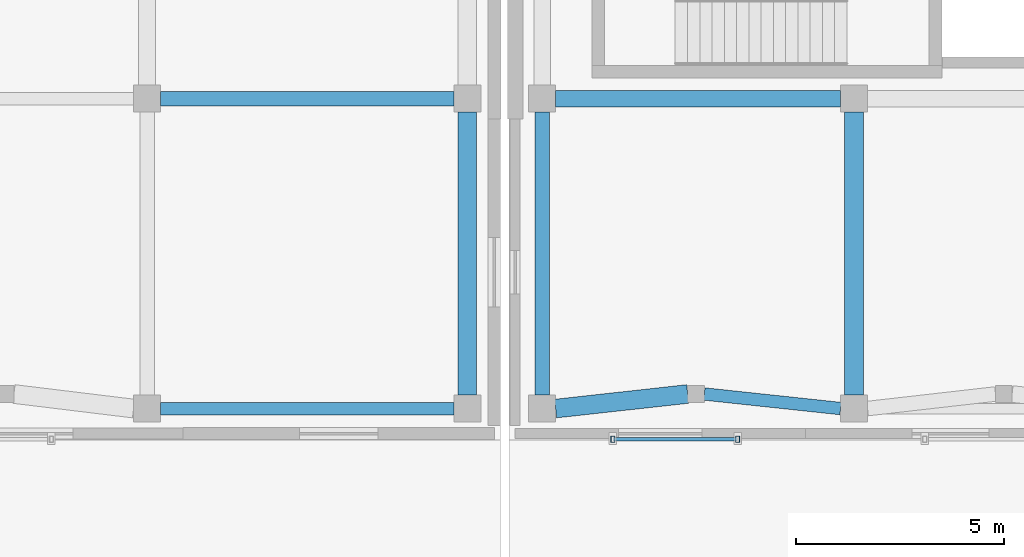
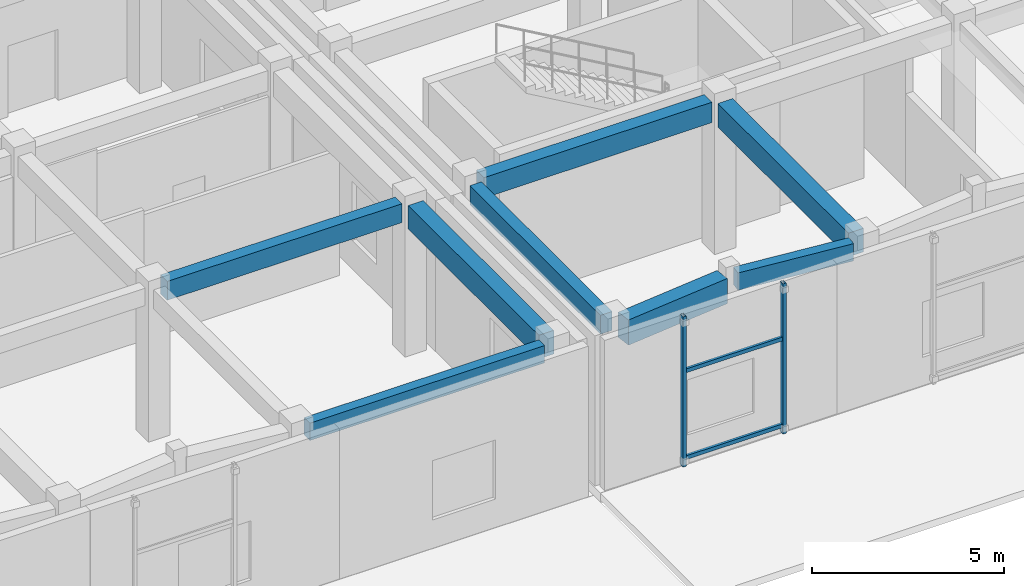
# One storey, part 19 of 121: 8 beams, 4 members.
"""IFC4 building model written with IfcOpenShell, lengths in metres."""

import ifcopenshell
import ifcopenshell.guid

model = None  # the IFC model being written
_history = None  # IfcOwnerHistory: only IFC2X3 demands one
_inside = {}  # id of a spatial element -> (the spatial element, [elements in it])
_under = {}  # id of a project, library or spatial element -> (it, [spatial elements below it])
_declared = {}  # id of a project -> (the project, [libraries it declares])
_typed = {}  # id of a type object -> (the type object, [elements of that type])
_made_of = {}  # id of a material, layer set ... -> (it, [elements and type objects made of it])


def new_model(schema):
    """Start an empty IFC model of exactly this schema.

    Asked for "IFC4X3", IfcOpenShell would pick the latest addendum, in which some entities
    have other attributes; the version numbers below select the first issue.
    IFC2X3 requires an IfcOwnerHistory on every rooted entity: one is made here for all.
    """
    global model, _history
    if schema == "IFC4X3":
        model = ifcopenshell.file(schema_version=(4, 3, 0, 0))
    else:
        model = ifcopenshell.file(schema=schema)
    _inside.clear()
    _under.clear()
    _declared.clear()
    _typed.clear()
    _made_of.clear()
    _history = None
    if model.schema == "IFC2X3":
        org = make("IfcOrganization", Name="unknown")
        user = make(
            "IfcPersonAndOrganization",
            ThePerson=make("IfcPerson", FamilyName="unknown"),
            TheOrganization=org,
        )
        app = make(
            "IfcApplication",
            ApplicationDeveloper=org,
            Version="unknown",
            ApplicationFullName="unknown",
            ApplicationIdentifier="unknown",
        )
        _history = make(
            "IfcOwnerHistory",
            OwningUser=user,
            OwningApplication=app,
            ChangeAction="ADDED",
            CreationDate=0,
        )
    return model


def make(cls, **values):
    """One entity of the class cls with the attributes given. An attribute that is None is left unset."""
    return model.create_entity(
        cls, **{name: value for name, value in values.items() if value is not None}
    )


def rooted(cls, **values):
    """An entity with a GlobalId (a new one), such as an element, a storey or a relation."""
    return make(cls, GlobalId=ifcopenshell.guid.new(), OwnerHistory=_history, **values)


def si_unit(unit_type, name, prefix=None):
    """IfcSIUnit, for example si_unit("LENGTHUNIT", "METRE", prefix="MILLI")."""
    return make("IfcSIUnit", UnitType=unit_type, Prefix=prefix, Name=name)


def assignment(units):
    """IfcUnitAssignment: the units of a project."""
    return None if units is None else make("IfcUnitAssignment", Units=units)


def point(xyz):
    """IfcCartesianPoint."""
    return None if xyz is None else make("IfcCartesianPoint", Coordinates=xyz)


def direction(xyz):
    """IfcDirection."""
    return None if xyz is None else make("IfcDirection", DirectionRatios=xyz)


def frame(location, z_axis=None, x_axis=None):
    """IfcAxis2Placement3D, a coordinate frame: its origin and axes. An axis left out is left unset."""
    return make(
        "IfcAxis2Placement3D",
        Location=point(location),
        Axis=direction(z_axis),
        RefDirection=direction(x_axis),
    )


def frame_2d(location, x_axis=None):
    """IfcAxis2Placement2D, a coordinate frame in the plane: its origin and x axis."""
    return make(
        "IfcAxis2Placement2D", Location=point(location), RefDirection=direction(x_axis)
    )


def origin():
    """The frame at (0, 0, 0) with its axes left unset."""
    return frame((0.0, 0.0, 0.0))


def origin_2d():
    """The frame at (0, 0) in the plane with its x axis left unset."""
    return frame_2d((0.0, 0.0))


def place(relative_to, where):
    """IfcLocalPlacement: puts the frame where relative to a parent placement (None: the world)."""
    return make(
        "IfcLocalPlacement", PlacementRelTo=relative_to, RelativePlacement=where
    )


def context(
    kind, dimensions, precision=None, world=None, true_north=None, identifier=None
):
    """IfcGeometricRepresentationContext, for example the 3D "Model" context."""
    return make(
        "IfcGeometricRepresentationContext",
        ContextIdentifier=identifier,
        ContextType=kind,
        CoordinateSpaceDimension=dimensions,
        Precision=precision,
        WorldCoordinateSystem=world,
        TrueNorth=true_north,
    )


def subcontext(parent, identifier, kind, view, scale=None):
    """IfcGeometricRepresentationSubContext, for example "Body" below "Model"."""
    return make(
        "IfcGeometricRepresentationSubContext",
        ContextIdentifier=identifier,
        ContextType=kind,
        ParentContext=parent,
        TargetScale=scale,
        TargetView=view,
    )


def project(units=None, contexts=None):
    """IfcProject with its units and contexts."""
    return rooted(
        "IfcProject",
        Name="project",
        RepresentationContexts=contexts,
        UnitsInContext=assignment(units),
    )


def spatial(cls, under=None, at=None, **own):
    """A site, building, storey or space (cls), placed at a placement, below another one or the project."""
    s = rooted(cls, ObjectPlacement=at, **own)
    if under is not None:
        _under.setdefault(under.id(), (under, []))[1].append(s)
    return s


def profile(cls, at=None, kind="AREA", **sizes):
    """A parametric profile (cls). Its sizes go by their IFC names, for example OverallWidth=200.0."""
    return make(cls, ProfileType=kind, Position=at, **sizes)


def rectangle(**sizes):
    """IfcRectangleProfileDef."""
    return profile("IfcRectangleProfileDef", **sizes)


def hollow_rectangle(**sizes):
    """IfcRectangleHollowProfileDef."""
    return profile("IfcRectangleHollowProfileDef", **sizes)


def extrude(swept, where, along, depth):
    """IfcExtrudedAreaSolid: the profile swept, set in the frame where, extruded along a direction by depth."""
    return make(
        "IfcExtrudedAreaSolid",
        SweptArea=swept,
        Position=where,
        ExtrudedDirection=direction(along),
        Depth=depth,
    )


def shape(context_of_items, identifier, shape_type, items):
    """IfcShapeRepresentation: the items that make up one representation, for example the "Body"."""
    return make(
        "IfcShapeRepresentation",
        ContextOfItems=context_of_items,
        RepresentationIdentifier=identifier,
        RepresentationType=shape_type,
        Items=items,
    )


def material(Name=None, Category=None):
    """IfcMaterial."""
    return make("IfcMaterial", Name=Name, Category=Category)


def material_profile(
    of_material, cross_section, Name=None, Category=None, Priority=None
):
    """IfcMaterialProfile: a cross section and its material."""
    return make(
        "IfcMaterialProfile",
        Name=Name,
        Material=of_material,
        Profile=cross_section,
        Priority=Priority,
        Category=Category,
    )


def profile_set(profiles, Name=None, composite=None):
    """IfcMaterialProfileSet."""
    return make(
        "IfcMaterialProfileSet",
        Name=Name,
        MaterialProfiles=profiles,
        CompositeProfile=composite,
    )


def made_of(thing, what):
    """Note that an element or type object is made of a material, layer set ...; save() writes the relation."""
    if what is not None:
        _made_of.setdefault(what.id(), (what, []))[1].append(thing)
    return thing


def type_object(cls, material=None, **own):
    """A type object (cls), such as IfcWallType, which elements share."""
    return made_of(rooted(cls, **own), material)


def element(
    cls,
    number,
    at=None,
    inside=None,
    cuts=None,
    type_object=None,
    material=None,
    context=None,
    identifier="Body",
    shape_type=None,
    held_by="IfcProductDefinitionShape",
    body=None,
    shapes=None,
    **own,
):
    """One element of the class cls, such as IfcWall. Its Tag is "e" and its number.

    at: its placement. inside: the storey or other place that contains it. cuts: it is an
    opening in that element (IfcRelVoidsElement). A single representation is given by context,
    identifier, shape_type and body (its items); several are given by shapes. held_by: the class
    of the entity that holds the representations. save() writes the other relations.
    """
    e = rooted(cls, Tag="e%d" % number, ObjectPlacement=at, **own)
    if body is not None:
        shapes = [shape(context, identifier, shape_type, body)]
    if shapes is not None:
        e.Representation = make(held_by, Representations=shapes)
    if inside is not None:
        _inside.setdefault(inside.id(), (inside, []))[1].append(e)
    if cuts is not None:
        rooted(
            "IfcRelVoidsElement", RelatingBuildingElement=cuts, RelatedOpeningElement=e
        )
    if type_object is not None:
        _typed.setdefault(type_object.id(), (type_object, []))[1].append(e)
    return made_of(e, material)


def aggregate(whole, parts):
    """IfcRelAggregates: a whole, such as a stair, and the parts it consists of."""
    return rooted("IfcRelAggregates", RelatingObject=whole, RelatedObjects=parts)


def save(model, path):
    """Write the relations noted so far, then the file.

    IfcRelAggregates (storeys below a building ...), IfcRelContainedInSpatialStructure (elements
    in a storey), IfcRelDefinesByType, IfcRelAssociatesMaterial and IfcRelDeclares: one each for
    every whole, place, type object, material and project.
    """
    for whole, parts in _under.values():
        aggregate(whole, parts)
    for where, things in _inside.values():
        rooted(
            "IfcRelContainedInSpatialStructure",
            RelatedElements=things,
            RelatingStructure=where,
        )
    for kind, things in _typed.values():
        rooted("IfcRelDefinesByType", RelatedObjects=things, RelatingType=kind)
    for what, things in _made_of.values():
        rooted("IfcRelAssociatesMaterial", RelatedObjects=things, RelatingMaterial=what)
    for by, libraries in _declared.values():
        rooted("IfcRelDeclares", RelatingContext=by, RelatedDefinitions=libraries)
    model.write(path)


model = new_model("IFC4")

# Units and contexts
model_context = context("Model", 3, precision=1e-05, world=origin(), true_north=direction((0.0, 1.0)))
body_context = subcontext(model_context, "Body", "Model", "MODEL_VIEW")
ifc_project = project(units=[si_unit("LENGTHUNIT", "METRE"), si_unit("AREAUNIT", "SQUARE_METRE"), si_unit("VOLUMEUNIT", "CUBIC_METRE"), si_unit("PLANEANGLEUNIT", "RADIAN"), si_unit("MASSUNIT", "GRAM", prefix="KILO")], contexts=[model_context])

# Site, building, storey
site_placement = place(None, origin())
site = spatial("IfcSite", under=ifc_project, at=site_placement, CompositionType="ELEMENT")
building_placement = place(site_placement, origin())
building = spatial("IfcBuilding", under=site, at=building_placement, Name="Valcora Specialist Clinic", CompositionType="ELEMENT")
storey_placement = place(building_placement, origin())
storey = spatial("IfcBuildingStorey", under=building, at=storey_placement, Name="L00", CompositionType="ELEMENT", Elevation=0.0)

# Beams
ifc_material_1 = material(Name="Concrete C40/50", Category="concrete")
ifc_material_profile_1 = material_profile(ifc_material_1, rectangle(XDim=0.300048828125, YDim=0.550048828125, at=origin_2d()), Name="RC-BM-300X550")
ifc_profile_set_1 = profile_set([ifc_material_profile_1], Name="Concrete C40/50")
beam_type_1 = type_object("IfcBeamType", Name="TY-BM-RC300X550", PredefinedType="BEAM", material=ifc_profile_set_1)
beam_1_placement = place(storey_placement, frame((45.125, 0.75, 4.510009765625), z_axis=(1.0, 0.0, 0.0), x_axis=(0.0, 1.0, 0.0)))
element("IfcBeam", 1, at=beam_1_placement, inside=storey, type_object=beam_type_1, Name="Beam BM-L00-0889", PredefinedType="BEAM", context=body_context, shape_type="SweptSolid", body=[
    extrude(rectangle(XDim=0.300048828125, YDim=0.550048828125, at=origin_2d()), origin(), (0.0, 0.0, 1.0), 7.050048828125),
])
beam_2_placement = place(storey_placement, frame((58.199951171875, 1.10009765625, 4.4951171875), z_axis=(0.994335202062, -0.106289726408, 0.0), x_axis=(0.106289726408, 0.994335202062, 0.0)))
element("IfcBeam", 2, at=beam_2_placement, inside=storey, type_object=beam_type_1, Name="Beam BM-L00-1219", PredefinedType="BEAM", context=body_context, shape_type="SweptSolid", body=[
    extrude(rectangle(XDim=0.300048828125, YDim=0.550048828125, at=origin_2d()), origin(), (0.0, 0.0, 1.0), 3.293701171875),
])
ifc_material_profile_2 = material_profile(ifc_material_1, rectangle(XDim=0.35009765625, YDim=0.60009765625, at=origin_2d()), Name="RC-BM-350X600")
ifc_profile_set_2 = profile_set([ifc_material_profile_2], Name="Concrete C40/50")
beam_type_2 = type_object("IfcBeamType", Name="TY-BM-RC350X600", PredefinedType="BEAM", material=ifc_profile_set_2)
beam_3_placement = place(storey_placement, frame((45.125, 8.199951171875, 4.485107421875), z_axis=(1.0, 0.0, 0.0), x_axis=(0.0, 1.0, 0.0)))
element("IfcBeam", 3, at=beam_3_placement, inside=storey, type_object=beam_type_2, Name="Beam BM-L00-0896", PredefinedType="BEAM", context=body_context, shape_type="SweptSolid", body=[
    extrude(rectangle(XDim=0.35009765625, YDim=0.60009765625, at=origin_2d()), origin(), (0.0, 0.0, 1.0), 7.050048828125),
])
beam_4_placement = place(storey_placement, frame((54.300048828125, 1.074951171875, 4.469970703125), z_axis=(0.0, 1.0, 0.0), x_axis=(-1.0, 0.0, 0.0)))
element("IfcBeam", 4, at=beam_4_placement, inside=storey, type_object=beam_type_2, Name="Beam BM-L00-1260", PredefinedType="BEAM", context=body_context, shape_type="SweptSolid", body=[
    extrude(rectangle(XDim=0.35009765625, YDim=0.60009765625, at=origin_2d()), origin(), (0.0, 0.0, 1.0), 6.800048828125),
])
ifc_material_profile_3 = material_profile(ifc_material_1, rectangle(XDim=0.39990234375, YDim=0.64990234375, at=origin_2d()), Name="RC-BM-400X650")
ifc_profile_set_3 = profile_set([ifc_material_profile_3], Name="Concrete C40/50")
beam_type_3 = type_object("IfcBeamType", Name="TY-BM-RC400X650", PredefinedType="BEAM", material=ifc_profile_set_3)
beam_5_placement = place(storey_placement, frame((54.625, 8.199951171875, 4.445068359375), z_axis=(1.0, 0.0, 0.0), x_axis=(0.0, 1.0, 0.0)))
element("IfcBeam", 5, at=beam_5_placement, inside=storey, type_object=beam_type_3, Name="Beam BM-L00-1233", PredefinedType="BEAM", context=body_context, shape_type="SweptSolid", body=[
    extrude(rectangle(XDim=0.39990234375, YDim=0.64990234375, at=origin_2d()), origin(), (0.0, 0.0, 1.0), 6.85009765625),
])
ifc_material_profile_4 = material_profile(ifc_material_1, rectangle(XDim=0.449951171875, YDim=0.75, at=origin_2d()), Name="RC-BM-450X750")
ifc_profile_set_4 = profile_set([ifc_material_profile_4], Name="Concrete C40/50")
beam_type_4 = type_object("IfcBeamType", Name="TY-BM-RC450X750", PredefinedType="BEAM", material=ifc_profile_set_4)
for number, where, z_axis, x_axis, name in (
    (6, (52.5, 1.074951171875, 4.409912109375), (0.0, 1.0, 0.0), (-1.0, 0.0, 0.0), "Beam BM-L00-0927"),
    (7, (61.800048828125, 1.074951171875, 4.39501953125), (0.0, 1.0, 0.0), (-1.0, 0.0, 0.0), "Beam BM-L00-1263"),
):
    element("IfcBeam", number, at=place(storey_placement, frame(where, z_axis=z_axis, x_axis=x_axis)), inside=storey, type_object=beam_type_4, Name=name, PredefinedType="BEAM", context=body_context, shape_type="SweptSolid", body=[
        extrude(rectangle(XDim=0.449951171875, YDim=0.75, at=origin_2d()), origin(), (0.0, 0.0, 1.0), 6.800048828125),
    ])
ifc_material_profile_5 = material_profile(ifc_material_1, rectangle(XDim=0.449951171875, YDim=0.800048828125, at=origin_2d()), Name="RC-BM-450X800")
ifc_profile_set_5 = profile_set([ifc_material_profile_5], Name="Concrete C40/50")
beam_type_5 = type_object("IfcBeamType", Name="TY-BM-RC450X800", PredefinedType="BEAM", material=ifc_profile_set_5)
beam_6_placement = place(storey_placement, frame((54.625, 0.75, 4.3701171875), z_axis=(0.993975663273, 0.109601007392, 0.0), x_axis=(-0.109601007392, 0.993975663273, 0.0)))
element("IfcBeam", 8, at=beam_6_placement, inside=storey, type_object=beam_type_5, Name="Beam BM-L00-1218", PredefinedType="BEAM", context=body_context, shape_type="SweptSolid", body=[
    extrude(rectangle(XDim=0.449951171875, YDim=0.800048828125, at=origin_2d()), origin(), (0.0, 0.0, 1.0), 3.1943359375),
])

# Members
ifc_material_2 = material(Name="Steel ASTM A500 Grade C", Category="steel")
ifc_material_profile_6 = material_profile(ifc_material_2, hollow_rectangle(XDim=0.10009765625, YDim=0.14990234375, WallThickness=0.006103515625, at=origin_2d()), Name="ST-RHS-150X100X6")
ifc_profile_set_6 = profile_set([ifc_material_profile_6], Name="Steel ASTM A500 Grade C")
member_type_1 = type_object("IfcMemberType", Name="TY-MB-SFPOST", PredefinedType="POST", material=ifc_profile_set_6)
for number, where, z_axis, x_axis, name in (
    (9, (56.0, 0.010009765625, 0.0), (0.0, 0.0, 1.0), (1.0, 0.0, 0.0), "Brick screen carrier post 17"),
    (10, (59.0, 0.010009765625, 0.0), (0.0, 0.0, 1.0), (1.0, 0.0, 0.0), "Brick screen carrier post 18"),
):
    element("IfcMember", number, at=place(storey_placement, frame(where, z_axis=z_axis, x_axis=x_axis)), inside=storey, type_object=member_type_1, Name=name, PredefinedType="POST", context=body_context, shape_type="SweptSolid", body=[
        extrude(hollow_rectangle(XDim=0.10009765625, YDim=0.14990234375, WallThickness=0.006103515625, at=origin_2d()), origin(), (0.0, 0.0, 1.0), 4.77001953125),
    ])
ifc_material_profile_7 = material_profile(ifc_material_2, hollow_rectangle(XDim=0.080078125, YDim=0.1201171875, WallThickness=0.0048828125, at=origin_2d()), Name="ST-RHS-120X80X5")
ifc_profile_set_7 = profile_set([ifc_material_profile_7], Name="Steel ASTM A500 Grade C")
member_type_2 = type_object("IfcMemberType", Name="TY-MB-SFRAIL", PredefinedType="STRINGER", material=ifc_profile_set_7)
for number, where, z_axis, x_axis, name in (
    (11, (56.0, 0.010009765625, 0.239990234375), (1.0, 0.0, 0.0), (0.0, 1.0, 0.0), "Brick screen carrier rail 19"),
    (12, (56.0, 0.010009765625, 3.0), (1.0, 0.0, 0.0), (0.0, 1.0, 0.0), "Brick screen carrier rail 20"),
):
    element("IfcMember", number, at=place(storey_placement, frame(where, z_axis=z_axis, x_axis=x_axis)), inside=storey, type_object=member_type_2, Name=name, PredefinedType="STRINGER", context=body_context, shape_type="SweptSolid", body=[
        extrude(hollow_rectangle(XDim=0.080078125, YDim=0.1201171875, WallThickness=0.0048828125, at=origin_2d()), origin(), (0.0, 0.0, 1.0), 3.0),
    ])

save(model, "model.ifc")
